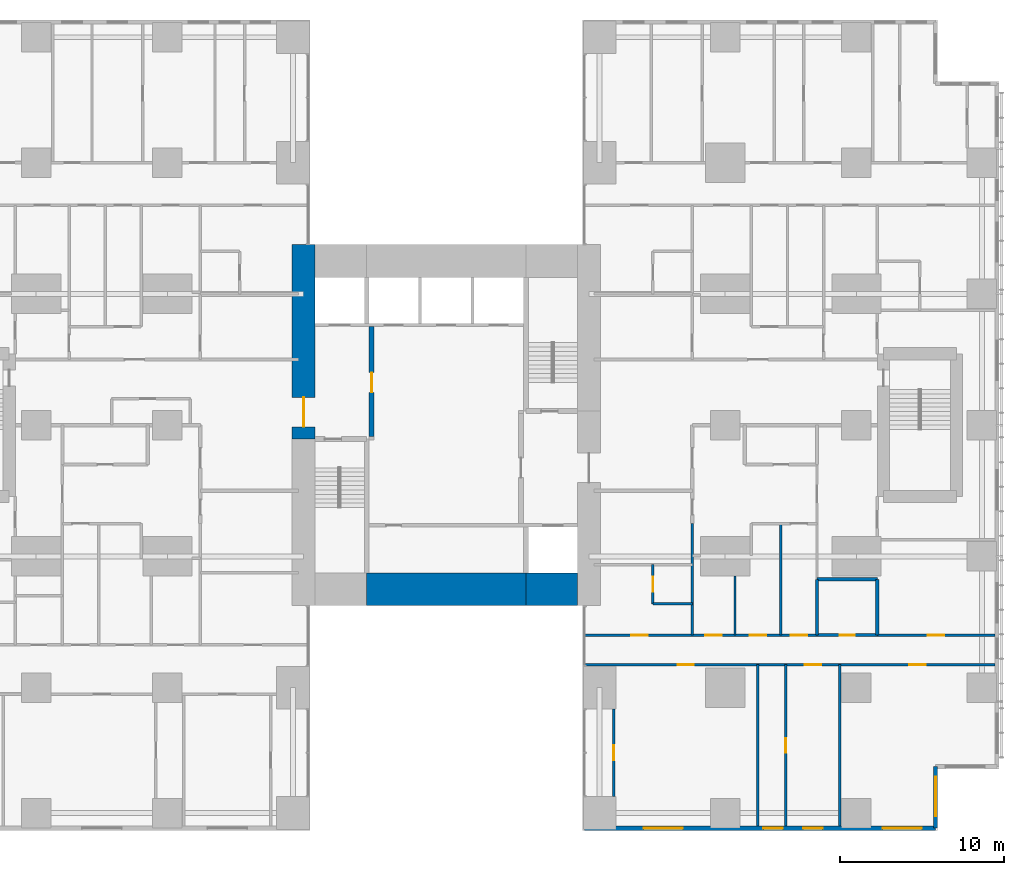
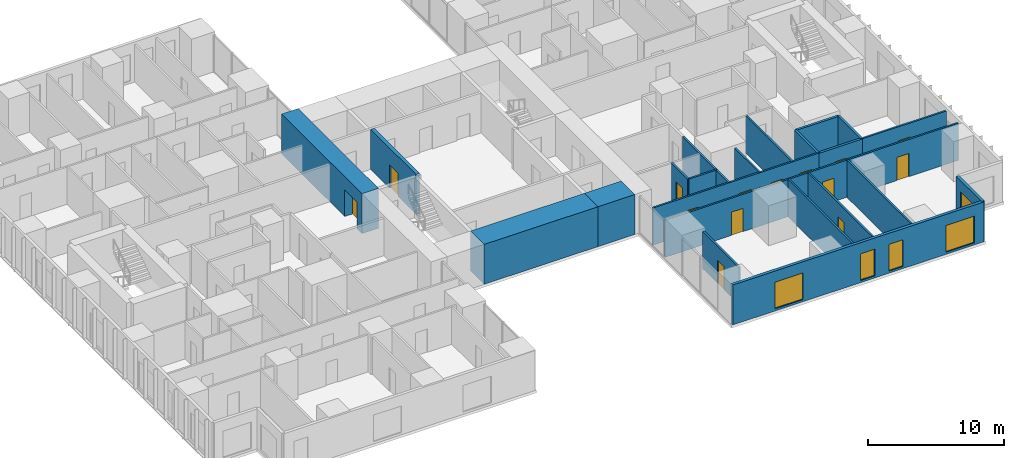
# One storey, part 14 of 20: 22 walls, 14 doors, 5 windows, 19 openings.
"""IFC4 building model written with IfcOpenShell, lengths in metres."""

from ifc_helpers import new_model, si_unit, direction, frame, frame_2d, origin, place, context, subcontext, project, spatial, rectangle, extrude, material, layer, layer_set, type_object, element, fill, save


model = new_model("IFC4")

# Units and contexts
model_context = context("Model", 3, precision=1e-05, world=origin(), true_north=direction((0.0, 1.0)))
body_context = subcontext(model_context, "Body", "Model", "MODEL_VIEW")
ifc_project = project(units=[si_unit("LENGTHUNIT", "METRE"), si_unit("AREAUNIT", "SQUARE_METRE"), si_unit("VOLUMEUNIT", "CUBIC_METRE"), si_unit("PLANEANGLEUNIT", "RADIAN"), si_unit("MASSUNIT", "GRAM", prefix="KILO")], contexts=[model_context])

# Site, building, storey
site_placement = place(None, origin())
site = spatial("IfcSite", under=ifc_project, at=site_placement, CompositionType="ELEMENT")
building_placement = place(site_placement, origin())
building = spatial("IfcBuilding", under=site, at=building_placement, Name="Cleftline Residences", CompositionType="ELEMENT")
storey_placement = place(building_placement, frame((0.0, 0.0, 189.39990234375)))
storey = spatial("IfcBuildingStorey", under=building, at=storey_placement, Name="L49", CompositionType="ELEMENT", Elevation=189.39990234375)

# Wall, opening, door
ifc_material_1 = material(Name="Concrete B70", Category="concrete")
ifc_layer_1 = layer(ifc_material_1, 1.39990234375)
ifc_layer_set_1 = layer_set([ifc_layer_1], Name="CORE WALL 1400")
wall_type_1 = type_object("IfcWallType", Name="CORE WALL 1400", PredefinedType="SHEAR", material=ifc_layer_set_1)
wall_1_placement = place(storey_placement, frame((24.300048828125, 23.14990234375, 0.0), z_axis=(0.0, 0.0, 1.0), x_axis=(0.0, 1.0, 0.0)))
wall_1 = element("IfcWall", 1, at=wall_1_placement, inside=storey, type_object=wall_type_1, Name="Core wall W", PredefinedType="SHEAR", context=body_context, shape_type="SweptSolid", body=[
    extrude(rectangle(XDim=11.85009765625, YDim=1.39990234375, at=frame_2d((5.925048828125, 0.0))), origin(), (0.0, 0.0, 1.0), 3.60009765625),
])
opening_1_placement = place(wall_1_placement, frame((0.75, 0.0, 0.0)))
opening_1 = element("IfcOpeningElement", 2, at=opening_1_placement, cuts=wall_1, Name="Opening D7", PredefinedType="OPENING", context=body_context, shape_type="SweptSolid", body=[
    extrude(rectangle(XDim=1.800048828125, YDim=2.39990234375, at=frame_2d((0.89990234375, 1.199951171875))), frame((0.0, 0.7099609375, 0.0), z_axis=(0.0, -1.0, 0.0), x_axis=(1.0, 0.0, 0.0)), (0.0, 0.0, 1.0), 1.419921875),
])
ifc_material_2 = material(Name="Steel", Category="steel")
door_type_1 = type_object("IfcDoorType", Name="WING DOOR 1800X2400", OperationType="DOUBLE_DOOR_DOUBLE_SWING", PredefinedType="DOOR", material=ifc_material_2)
door_1_placement = place(opening_1_placement, origin())
door_1 = element("IfcDoor", 3, at=door_1_placement, inside=storey, type_object=door_type_1, Name="West wing door", OperationType="DOUBLE_DOOR_DOUBLE_SWING", OverallHeight=2.39990234375, OverallWidth=1.800048828125, PredefinedType="DOOR", context=body_context, shape_type="SweptSolid", body=[
    extrude(rectangle(XDim=1.800048828125, YDim=2.39990234375, at=frame_2d((0.89990234375, 1.199951171875))), frame((0.0, 0.02490234375, 0.0), z_axis=(0.0, -1.0, 0.0), x_axis=(1.0, 0.0, 0.0)), (0.0, 0.0, 1.0), 0.050048828125),
])
fill(opening_1, door_1)

# Walls
ifc_material_3 = material(Name="Concrete B70", Category="concrete")
ifc_layer_2 = layer(ifc_material_3, 2.0)
ifc_layer_set_2 = layer_set([ifc_layer_2], Name="CORE WALL 2000")
wall_type_2 = type_object("IfcWallType", Name="CORE WALL 2000", PredefinedType="SHEAR", material=ifc_layer_set_2)
wall_2_placement = place(storey_placement, frame((28.14990234375, 14.0, 0.0), z_axis=(0.0, 0.0, 1.0), x_axis=(1.0, 0.0, 0.0)))
element("IfcWall", 4, at=wall_2_placement, inside=storey, type_object=wall_type_2, Name="Core wall S2", PredefinedType="SHEAR", context=body_context, shape_type="SweptSolid", body=[
    extrude(rectangle(XDim=9.7001953125, YDim=2.0, at=frame_2d((4.85009765625, 0.0))), origin(), (0.0, 0.0, 1.0), 3.60009765625),
])
wall_3_placement = place(storey_placement, frame((37.85009765625, 14.0, 0.0), z_axis=(0.0, 0.0, 1.0), x_axis=(1.0, 0.0, 0.0)))
element("IfcWall", 5, at=wall_3_placement, inside=storey, type_object=wall_type_2, Name="Core wall S3", PredefinedType="SHEAR", context=body_context, shape_type="SweptSolid", body=[
    extrude(rectangle(XDim=3.14990234375, YDim=2.0, at=frame_2d((1.574951171875, 0.0))), origin(), (0.0, 0.0, 1.0), 3.60009765625),
])

# Wall, openings, windows
ifc_material_4 = material(Name="Rendered reinforced concrete blockwork", Category="masonry")
ifc_layer_3 = layer(ifc_material_4, 0.25)
ifc_layer_set_3 = layer_set([ifc_layer_3], Name="EXTERNAL WALL 250")
wall_type_3 = type_object("IfcWallType", Name="EXTERNAL WALL 250", PredefinedType="SOLIDWALL", material=ifc_layer_set_3)
wall_4_placement = place(storey_placement, frame((41.425048828125, -0.574951171875, 0.0), z_axis=(0.0, 0.0, 1.0), x_axis=(1.0, 0.0, 0.0)))
wall_4 = element("IfcWall", 6, at=wall_4_placement, inside=storey, type_object=wall_type_3, Name="External wall", PredefinedType="SOLIDWALL", context=body_context, shape_type="SweptSolid", body=[
    extrude(rectangle(XDim=21.39990234375, YDim=0.25, at=frame_2d((10.699951171875, 0.0))), origin(), (0.0, 0.0, 1.0), 3.60009765625),
])
opening_2_placement = place(wall_4_placement, frame((3.60009765625, 0.0, 0.199951171875)))
opening_2 = element("IfcOpeningElement", 7, at=opening_2_placement, cuts=wall_4, Name="Opening W9", PredefinedType="OPENING", context=body_context, shape_type="SweptSolid", body=[
    extrude(rectangle(XDim=2.39990234375, YDim=2.39990234375, at=frame_2d((1.199951171875, 1.199951171875))), frame((0.0, 0.135009765625, 0.0), z_axis=(0.0, -1.0, 0.0), x_axis=(1.0, 0.0, 0.0)), (0.0, 0.0, 1.0), 0.27001953125),
])
opening_3_placement = place(wall_4_placement, frame((10.89990234375, 0.0, 0.199951171875)))
opening_3 = element("IfcOpeningElement", 8, at=opening_3_placement, cuts=wall_4, Name="Opening W13", PredefinedType="OPENING", context=body_context, shape_type="SweptSolid", body=[
    extrude(rectangle(XDim=1.199951171875, YDim=2.39990234375, at=frame_2d((0.60009765625, 1.199951171875))), frame((0.0, 0.135009765625, 0.0), z_axis=(0.0, -1.0, 0.0), x_axis=(1.0, 0.0, 0.0)), (0.0, 0.0, 1.0), 0.27001953125),
])
opening_4_placement = place(wall_4_placement, frame((13.324951171875, 0.0, 0.199951171875)))
opening_4 = element("IfcOpeningElement", 9, at=opening_4_placement, cuts=wall_4, Name="Opening W13", PredefinedType="OPENING", context=body_context, shape_type="SweptSolid", body=[
    extrude(rectangle(XDim=1.199951171875, YDim=2.39990234375, at=frame_2d((0.60009765625, 1.199951171875))), frame((0.0, 0.135009765625, 0.0), z_axis=(0.0, -1.0, 0.0), x_axis=(1.0, 0.0, 0.0)), (0.0, 0.0, 1.0), 0.27001953125),
])
opening_5_placement = place(wall_4_placement, frame((18.175048828125, 0.0, 0.199951171875)))
opening_5 = element("IfcOpeningElement", 10, at=opening_5_placement, cuts=wall_4, Name="Opening W9", PredefinedType="OPENING", context=body_context, shape_type="SweptSolid", body=[
    extrude(rectangle(XDim=2.39990234375, YDim=2.39990234375, at=frame_2d((1.199951171875, 1.199951171875))), frame((0.0, 0.135009765625, 0.0), z_axis=(0.0, -1.0, 0.0), x_axis=(1.0, 0.0, 0.0)), (0.0, 0.0, 1.0), 0.27001953125),
])
ifc_material_5 = material(Name="Aluminium frame, clear double glazing", Category="aluminium")
window_type_1 = type_object("IfcWindowType", Name="WINDOW 1200X2400", PartitioningType="DOUBLE_PANEL_VERTICAL", PredefinedType="WINDOW", material=ifc_material_5)
window_1_placement = place(opening_3_placement, origin())
window_1 = element("IfcWindow", 11, at=window_1_placement, inside=storey, type_object=window_type_1, Name="Window", OverallHeight=2.39990234375, OverallWidth=1.199951171875, PartitioningType="SINGLE_PANEL", PredefinedType="WINDOW", context=body_context, shape_type="SweptSolid", body=[
    extrude(rectangle(XDim=1.199951171875, YDim=2.39990234375, at=frame_2d((0.60009765625, 1.199951171875))), frame((0.0, 0.030029296875, 0.0), z_axis=(0.0, -1.0, 0.0), x_axis=(1.0, 0.0, 0.0)), (0.0, 0.0, 1.0), 0.06005859375),
])
fill(opening_3, window_1)
window_2_placement = place(opening_4_placement, origin())
window_2 = element("IfcWindow", 12, at=window_2_placement, inside=storey, type_object=window_type_1, Name="Window", OverallHeight=2.39990234375, OverallWidth=1.199951171875, PartitioningType="SINGLE_PANEL", PredefinedType="WINDOW", context=body_context, shape_type="SweptSolid", body=[
    extrude(rectangle(XDim=1.199951171875, YDim=2.39990234375, at=frame_2d((0.60009765625, 1.199951171875))), frame((0.0, 0.030029296875, 0.0), z_axis=(0.0, -1.0, 0.0), x_axis=(1.0, 0.0, 0.0)), (0.0, 0.0, 1.0), 0.06005859375),
])
fill(opening_4, window_2)
ifc_material_6 = material(Name="Aluminium frame, clear double glazing", Category="aluminium")
window_type_2 = type_object("IfcWindowType", Name="WINDOW 2400X2400", PartitioningType="DOUBLE_PANEL_VERTICAL", PredefinedType="WINDOW", material=ifc_material_6)
window_3_placement = place(opening_2_placement, origin())
window_3 = element("IfcWindow", 13, at=window_3_placement, inside=storey, type_object=window_type_2, Name="Window", OverallHeight=2.39990234375, OverallWidth=2.39990234375, PartitioningType="SINGLE_PANEL", PredefinedType="WINDOW", context=body_context, shape_type="SweptSolid", body=[
    extrude(rectangle(XDim=2.39990234375, YDim=2.39990234375, at=frame_2d((1.199951171875, 1.199951171875))), frame((0.0, 0.030029296875, 0.0), z_axis=(0.0, -1.0, 0.0), x_axis=(1.0, 0.0, 0.0)), (0.0, 0.0, 1.0), 0.06005859375),
])
fill(opening_2, window_3)
window_4_placement = place(opening_5_placement, origin())
window_4 = element("IfcWindow", 14, at=window_4_placement, inside=storey, type_object=window_type_2, Name="Window", OverallHeight=2.39990234375, OverallWidth=2.39990234375, PartitioningType="SINGLE_PANEL", PredefinedType="WINDOW", context=body_context, shape_type="SweptSolid", body=[
    extrude(rectangle(XDim=2.39990234375, YDim=2.39990234375, at=frame_2d((1.199951171875, 1.199951171875))), frame((0.0, 0.030029296875, 0.0), z_axis=(0.0, -1.0, 0.0), x_axis=(1.0, 0.0, 0.0)), (0.0, 0.0, 1.0), 0.06005859375),
])
fill(opening_5, window_4)

# Wall, opening, window
wall_5_placement = place(storey_placement, frame((62.824951171875, -0.574951171875, 0.0), z_axis=(0.0, 0.0, 1.0), x_axis=(0.0, 1.0, 0.0)))
wall_5 = element("IfcWall", 15, at=wall_5_placement, inside=storey, type_object=wall_type_3, Name="External wall", PredefinedType="SOLIDWALL", context=body_context, shape_type="SweptSolid", body=[
    extrude(rectangle(XDim=3.75, YDim=0.25, at=frame_2d((1.875, 0.0))), origin(), (0.0, 0.0, 1.0), 3.60009765625),
])
opening_6_placement = place(wall_5_placement, frame((0.737548828125, 0.0, 0.199951171875)))
opening_6 = element("IfcOpeningElement", 16, at=opening_6_placement, cuts=wall_5, Name="Opening W9", PredefinedType="OPENING", context=body_context, shape_type="SweptSolid", body=[
    extrude(rectangle(XDim=2.39990234375, YDim=2.39990234375, at=frame_2d((1.199951171875, 1.199951171875))), frame((0.0, 0.135009765625, 0.0), z_axis=(0.0, -1.0, 0.0), x_axis=(1.0, 0.0, 0.0)), (0.0, 0.0, 1.0), 0.27001953125),
])
window_5_placement = place(opening_6_placement, origin())
window_5 = element("IfcWindow", 17, at=window_5_placement, inside=storey, type_object=window_type_2, Name="Window", OverallHeight=2.39990234375, OverallWidth=2.39990234375, PartitioningType="SINGLE_PANEL", PredefinedType="WINDOW", context=body_context, shape_type="SweptSolid", body=[
    extrude(rectangle(XDim=2.39990234375, YDim=2.39990234375, at=frame_2d((1.199951171875, 1.199951171875))), frame((0.0, 0.030029296875, 0.0), z_axis=(0.0, -1.0, 0.0), x_axis=(1.0, 0.0, 0.0)), (0.0, 0.0, 1.0), 0.06005859375),
])
fill(opening_6, window_5)

# Wall, opening, door
ifc_material_7 = material(Name="Concrete blockwork, fire rated", Category="masonry")
ifc_layer_4 = layer(ifc_material_7, 0.199951171875)
ifc_layer_set_4 = layer_set([ifc_layer_4], Name="FIRE WALL 200")
wall_type_4 = type_object("IfcWallType", Name="FIRE WALL 200", PredefinedType="PARTITIONING", material=ifc_layer_set_4)
wall_6_placement = place(storey_placement, frame((55.60009765625, 11.199951171875, 0.0), z_axis=(0.0, 0.0, 1.0), x_axis=(1.0, 0.0, 0.0)))
wall_6 = element("IfcWall", 18, at=wall_6_placement, inside=storey, type_object=wall_type_4, Name="Fire separating wall", PredefinedType="PARTITIONING", context=body_context, shape_type="SweptSolid", body=[
    extrude(rectangle(XDim=3.6748046875, YDim=0.199951171875, at=frame_2d((1.83740234375, 0.0))), origin(), (0.0, 0.0, 1.0), 3.35009765625),
])
opening_7_placement = place(wall_6_placement, frame((1.387451171875, 0.0, 0.0)))
opening_7 = element("IfcOpeningElement", 19, at=opening_7_placement, cuts=wall_6, Name="Opening D1F30", PredefinedType="OPENING", context=body_context, shape_type="SweptSolid", body=[
    extrude(rectangle(XDim=0.89990234375, YDim=2.10009765625, at=frame_2d((0.449951171875, 1.050048828125))), frame((0.0, 0.10986328125, 0.0), z_axis=(0.0, -1.0, 0.0), x_axis=(1.0, 0.0, 0.0)), (0.0, 0.0, 1.0), 0.219970703125),
])
ifc_material_8 = material(Name="Timber veneer on solid core", Category="wood")
door_type_2 = type_object("IfcDoorType", Name="DOOR 900X2100 EI 30", OperationType="SINGLE_SWING_LEFT", PredefinedType="DOOR", material=ifc_material_8)
door_2_placement = place(opening_7_placement, origin())
door_2 = element("IfcDoor", 20, at=door_2_placement, inside=storey, type_object=door_type_2, Name="Door to guest wc", OperationType="SINGLE_SWING_LEFT", OverallHeight=2.10009765625, OverallWidth=0.89990234375, PredefinedType="DOOR", context=body_context, shape_type="SweptSolid", body=[
    extrude(rectangle(XDim=0.89990234375, YDim=2.10009765625, at=frame_2d((0.449951171875, 1.050048828125))), frame((0.0, 0.02490234375, 0.0), z_axis=(0.0, -1.0, 0.0), x_axis=(1.0, 0.0, 0.0)), (0.0, 0.0, 1.0), 0.050048828125),
])
fill(opening_7, door_2)

# Walls
wall_7_placement = place(storey_placement, frame((55.60009765625, 14.60009765625, 0.0), z_axis=(0.0, 0.0, 1.0), x_axis=(1.0, 0.0, 0.0)))
element("IfcWall", 21, at=wall_7_placement, inside=storey, type_object=wall_type_4, Name="Fire separating wall", PredefinedType="PARTITIONING", context=body_context, shape_type="SweptSolid", body=[
    extrude(rectangle(XDim=3.6748046875, YDim=0.199951171875, at=frame_2d((1.83740234375, 0.0))), origin(), (0.0, 0.0, 1.0), 3.35009765625),
])
for number, where, z_axis, x_axis, name in (
    (22, (55.60009765625, 11.199951171875, 0.0), (0.0, 0.0, 1.0), (0.0, 1.0, 0.0), "Fire separating wall"),
    (23, (59.27490234375, 11.199951171875, 0.0), (0.0, 0.0, 1.0), (0.0, 1.0, 0.0), "Fire separating wall"),
):
    element("IfcWall", number, at=place(storey_placement, frame(where, z_axis=z_axis, x_axis=x_axis)), inside=storey, type_object=wall_type_4, Name=name, PredefinedType="PARTITIONING", context=body_context, shape_type="SweptSolid", body=[
        extrude(rectangle(XDim=3.400146484375, YDim=0.199951171875, at=frame_2d((1.7001953125, 0.0))), origin(), (0.0, 0.0, 1.0), 3.35009765625),
    ])

# Wall, openings, doors
ifc_material_9 = material(Name="Gypsum board on steel studs", Category="steel")
ifc_layer_5 = layer(ifc_material_9, 0.14990234375)
ifc_layer_set_5 = layer_set([ifc_layer_5], Name="PARTITION 150")
wall_type_5 = type_object("IfcWallType", Name="PARTITION 150", PredefinedType="PARTITIONING", material=ifc_layer_set_5)
wall_8_placement = place(storey_placement, frame((41.43896484375, 9.39990234375, 0.0), z_axis=(0.0, 0.0, 1.0), x_axis=(1.0, 0.0, 0.0)))
wall_8 = element("IfcWall", 24, at=wall_8_placement, inside=storey, type_object=wall_type_5, Name="Partition", PredefinedType="PARTITIONING", context=body_context, shape_type="SweptSolid", body=[
    extrude(rectangle(XDim=25.010986328125, YDim=0.14990234375, at=frame_2d((12.50537109375, 0.0))), origin(), (0.0, 0.0, 1.0), 3.35009765625),
])
opening_8_placement = place(wall_8_placement, frame((19.785888671875, 0.0, 0.0)))
opening_8 = element("IfcOpeningElement", 25, at=opening_8_placement, cuts=wall_8, Name="Opening D2", PredefinedType="OPENING", context=body_context, shape_type="SweptSolid", body=[
    extrude(rectangle(XDim=1.0, YDim=2.10009765625, at=frame_2d((0.5, 1.050048828125))), frame((0.0, 0.0849609375, 0.0), z_axis=(0.0, -1.0, 0.0), x_axis=(1.0, 0.0, 0.0)), (0.0, 0.0, 1.0), 0.169921875),
])
opening_9_placement = place(wall_8_placement, frame((13.410888671875, 0.0, 0.0)))
opening_9 = element("IfcOpeningElement", 26, at=opening_9_placement, cuts=wall_8, Name="Opening D2", PredefinedType="OPENING", context=body_context, shape_type="SweptSolid", body=[
    extrude(rectangle(XDim=1.0, YDim=2.10009765625, at=frame_2d((0.5, 1.050048828125))), frame((0.0, 0.0849609375, 0.0), z_axis=(0.0, -1.0, 0.0), x_axis=(1.0, 0.0, 0.0)), (0.0, 0.0, 1.0), 0.169921875),
])
opening_10_placement = place(wall_8_placement, frame((5.660888671875, 0.0, 0.0)))
opening_10 = element("IfcOpeningElement", 27, at=opening_10_placement, cuts=wall_8, Name="Opening D2", PredefinedType="OPENING", context=body_context, shape_type="SweptSolid", body=[
    extrude(rectangle(XDim=1.0, YDim=2.10009765625, at=frame_2d((0.5, 1.050048828125))), frame((0.0, 0.0849609375, 0.0), z_axis=(0.0, -1.0, 0.0), x_axis=(1.0, 0.0, 0.0)), (0.0, 0.0, 1.0), 0.169921875),
])
ifc_material_10 = material(Name="Timber veneer on solid core", Category="wood")
door_type_3 = type_object("IfcDoorType", Name="DOOR 1000X2100", OperationType="SINGLE_SWING_LEFT", PredefinedType="DOOR", material=ifc_material_10)
door_3_placement = place(opening_8_placement, origin())
door_3 = element("IfcDoor", 28, at=door_3_placement, inside=storey, type_object=door_type_3, Name="Door to sea-view dining room", OperationType="SINGLE_SWING_LEFT", OverallHeight=2.10009765625, OverallWidth=1.0, PredefinedType="DOOR", context=body_context, shape_type="SweptSolid", body=[
    extrude(rectangle(XDim=1.0, YDim=2.10009765625, at=frame_2d((0.5, 1.050048828125))), frame((0.0, 0.02490234375, 0.0), z_axis=(0.0, -1.0, 0.0), x_axis=(1.0, 0.0, 0.0)), (0.0, 0.0, 1.0), 0.050048828125),
])
fill(opening_8, door_3)
door_4_placement = place(opening_9_placement, origin())
door_4 = element("IfcDoor", 29, at=door_4_placement, inside=storey, type_object=door_type_3, Name="Door to show kitchen", OperationType="SINGLE_SWING_LEFT", OverallHeight=2.10009765625, OverallWidth=1.0, PredefinedType="DOOR", context=body_context, shape_type="SweptSolid", body=[
    extrude(rectangle(XDim=1.0, YDim=2.10009765625, at=frame_2d((0.5, 1.050048828125))), frame((0.0, 0.02490234375, 0.0), z_axis=(0.0, -1.0, 0.0), x_axis=(1.0, 0.0, 0.0)), (0.0, 0.0, 1.0), 0.050048828125),
])
fill(opening_9, door_4)
door_5_placement = place(opening_10_placement, origin())
door_5 = element("IfcDoor", 30, at=door_5_placement, inside=storey, type_object=door_type_3, Name="Door to family room", OperationType="SINGLE_SWING_RIGHT", OverallHeight=2.10009765625, OverallWidth=1.0, PredefinedType="DOOR", context=body_context, shape_type="SweptSolid", body=[
    extrude(rectangle(XDim=1.0, YDim=2.10009765625, at=frame_2d((0.5, 1.050048828125))), frame((0.0, 0.02490234375, 0.0), z_axis=(0.0, -1.0, 0.0), x_axis=(1.0, 0.0, 0.0)), (0.0, 0.0, 1.0), 0.050048828125),
])
fill(opening_10, door_5)

wall_9_placement = place(storey_placement, frame((41.43896484375, 11.199951171875, 0.0), z_axis=(0.0, 0.0, 1.0), x_axis=(1.0, 0.0, 0.0)))
wall_9 = element("IfcWall", 31, at=wall_9_placement, inside=storey, type_object=wall_type_5, Name="Partition", PredefinedType="PARTITIONING", context=body_context, shape_type="SweptSolid", body=[
    extrude(rectangle(XDim=14.1611328125, YDim=0.14990234375, at=frame_2d((7.08056640625, 0.0))), origin(), (0.0, 0.0, 1.0), 3.35009765625),
])
opening_11_placement = place(wall_9_placement, frame((12.56103515625, 0.0, 0.0)))
opening_11 = element("IfcOpeningElement", 32, at=opening_11_placement, cuts=wall_9, Name="Opening D2F30", PredefinedType="OPENING", context=body_context, shape_type="SweptSolid", body=[
    extrude(rectangle(XDim=1.0, YDim=2.10009765625, at=frame_2d((0.5, 1.050048828125))), frame((0.0, 0.0849609375, 0.0), z_axis=(0.0, -1.0, 0.0), x_axis=(1.0, 0.0, 0.0)), (0.0, 0.0, 1.0), 0.169921875),
])
opening_12_placement = place(wall_9_placement, frame((10.06103515625, 0.0, 0.0)))
opening_12 = element("IfcOpeningElement", 33, at=opening_12_placement, cuts=wall_9, Name="Opening D2F30", PredefinedType="OPENING", context=body_context, shape_type="SweptSolid", body=[
    extrude(rectangle(XDim=1.0, YDim=2.10009765625, at=frame_2d((0.5, 1.050048828125))), frame((0.0, 0.0849609375, 0.0), z_axis=(0.0, -1.0, 0.0), x_axis=(1.0, 0.0, 0.0)), (0.0, 0.0, 1.0), 0.169921875),
])
opening_13_placement = place(wall_9_placement, frame((7.361083984375, 0.0, 0.0)))
opening_13 = element("IfcOpeningElement", 34, at=opening_13_placement, cuts=wall_9, Name="Opening D2F30", PredefinedType="OPENING", context=body_context, shape_type="SweptSolid", body=[
    extrude(rectangle(XDim=1.0, YDim=2.10009765625, at=frame_2d((0.5, 1.050048828125))), frame((0.0, 0.0849609375, 0.0), z_axis=(0.0, -1.0, 0.0), x_axis=(1.0, 0.0, 0.0)), (0.0, 0.0, 1.0), 0.169921875),
])
opening_14_placement = place(wall_9_placement, frame((2.8359375, 0.0, 0.0)))
opening_14 = element("IfcOpeningElement", 35, at=opening_14_placement, cuts=wall_9, Name="Opening D2F30", PredefinedType="OPENING", context=body_context, shape_type="SweptSolid", body=[
    extrude(rectangle(XDim=1.0, YDim=2.10009765625, at=frame_2d((0.5, 1.050048828125))), frame((0.0, 0.0849609375, 0.0), z_axis=(0.0, -1.0, 0.0), x_axis=(1.0, 0.0, 0.0)), (0.0, 0.0, 1.0), 0.169921875),
])
ifc_material_11 = material(Name="Timber veneer on solid core", Category="wood")
door_type_4 = type_object("IfcDoorType", Name="DOOR 1000X2100 EI 30", OperationType="SINGLE_SWING_LEFT", PredefinedType="DOOR", material=ifc_material_11)
door_6_placement = place(opening_11_placement, origin())
door_6 = element("IfcDoor", 36, at=door_6_placement, inside=storey, type_object=door_type_4, Name="Door to residence hall (gallery)", OperationType="SINGLE_SWING_LEFT", OverallHeight=2.10009765625, OverallWidth=1.0, PredefinedType="DOOR", context=body_context, shape_type="SweptSolid", body=[
    extrude(rectangle(XDim=1.0, YDim=2.10009765625, at=frame_2d((0.5, 1.050048828125))), frame((0.0, 0.02490234375, 0.0), z_axis=(0.0, -1.0, 0.0), x_axis=(1.0, 0.0, 0.0)), (0.0, 0.0, 1.0), 0.050048828125),
])
fill(opening_11, door_6)
door_7_placement = place(opening_12_placement, origin())
door_7 = element("IfcDoor", 37, at=door_7_placement, inside=storey, type_object=door_type_4, Name="Door to wet kitchen", OperationType="SINGLE_SWING_LEFT", OverallHeight=2.10009765625, OverallWidth=1.0, PredefinedType="DOOR", context=body_context, shape_type="SweptSolid", body=[
    extrude(rectangle(XDim=1.0, YDim=2.10009765625, at=frame_2d((0.5, 1.050048828125))), frame((0.0, 0.02490234375, 0.0), z_axis=(0.0, -1.0, 0.0), x_axis=(1.0, 0.0, 0.0)), (0.0, 0.0, 1.0), 0.050048828125),
])
fill(opening_12, door_7)
door_8_placement = place(opening_13_placement, origin())
door_8 = element("IfcDoor", 38, at=door_8_placement, inside=storey, type_object=door_type_4, Name="Door to library", OperationType="SINGLE_SWING_LEFT", OverallHeight=2.10009765625, OverallWidth=1.0, PredefinedType="DOOR", context=body_context, shape_type="SweptSolid", body=[
    extrude(rectangle(XDim=1.0, YDim=2.10009765625, at=frame_2d((0.5, 1.050048828125))), frame((0.0, 0.02490234375, 0.0), z_axis=(0.0, -1.0, 0.0), x_axis=(1.0, 0.0, 0.0)), (0.0, 0.0, 1.0), 0.050048828125),
])
fill(opening_13, door_8)
door_9_placement = place(opening_14_placement, origin())
door_9 = element("IfcDoor", 39, at=door_9_placement, inside=storey, type_object=door_type_4, Name="Door to staff bedroom", OperationType="SINGLE_SWING_RIGHT", OverallHeight=2.10009765625, OverallWidth=1.0, PredefinedType="DOOR", context=body_context, shape_type="SweptSolid", body=[
    extrude(rectangle(XDim=1.0, YDim=2.10009765625, at=frame_2d((0.5, 1.050048828125))), frame((0.0, 0.02490234375, 0.0), z_axis=(0.0, -1.0, 0.0), x_axis=(1.0, 0.0, 0.0)), (0.0, 0.0, 1.0), 0.050048828125),
])
fill(opening_14, door_9)

# Wall, opening, door
wall_10_placement = place(storey_placement, frame((59.27490234375, 11.199951171875, 0.0), z_axis=(0.0, 0.0, 1.0), x_axis=(1.0, 0.0, 0.0)))
wall_10 = element("IfcWall", 40, at=wall_10_placement, inside=storey, type_object=wall_type_5, Name="Partition", PredefinedType="PARTITIONING", context=body_context, shape_type="SweptSolid", body=[
    extrude(rectangle(XDim=7.175048828125, YDim=0.14990234375, at=frame_2d((3.58740234375, 0.0))), origin(), (0.0, 0.0, 1.0), 3.35009765625),
])
opening_15_placement = place(wall_10_placement, frame((3.08740234375, 0.0, 0.0)))
opening_15 = element("IfcOpeningElement", 41, at=opening_15_placement, cuts=wall_10, Name="Opening D2", PredefinedType="OPENING", context=body_context, shape_type="SweptSolid", body=[
    extrude(rectangle(XDim=1.0, YDim=2.10009765625, at=frame_2d((0.5, 1.050048828125))), frame((0.0, 0.0849609375, 0.0), z_axis=(0.0, -1.0, 0.0), x_axis=(1.0, 0.0, 0.0)), (0.0, 0.0, 1.0), 0.169921875),
])
door_10_placement = place(opening_15_placement, origin())
door_10 = element("IfcDoor", 42, at=door_10_placement, inside=storey, type_object=door_type_3, Name="Door to sea-view living room", OperationType="SINGLE_SWING_LEFT", OverallHeight=2.10009765625, OverallWidth=1.0, PredefinedType="DOOR", context=body_context, shape_type="SweptSolid", body=[
    extrude(rectangle(XDim=1.0, YDim=2.10009765625, at=frame_2d((0.5, 1.050048828125))), frame((0.0, 0.02490234375, 0.0), z_axis=(0.0, -1.0, 0.0), x_axis=(1.0, 0.0, 0.0)), (0.0, 0.0, 1.0), 0.050048828125),
])
fill(opening_15, door_10)

# Wall
wall_11_placement = place(storey_placement, frame((45.60009765625, 13.10009765625, 0.0), z_axis=(0.0, 0.0, 1.0), x_axis=(1.0, 0.0, 0.0)))
element("IfcWall", 43, at=wall_11_placement, inside=storey, type_object=wall_type_5, Name="Partition", PredefinedType="PARTITIONING", context=body_context, shape_type="SweptSolid", body=[
    extrude(rectangle(XDim=2.39990234375, YDim=0.14990234375, at=frame_2d((1.199951171875, 0.0))), origin(), (0.0, 0.0, 1.0), 3.35009765625),
])

# Wall, opening, door
wall_12_placement = place(storey_placement, frame((43.199951171875, 1.35009765625, 0.0), z_axis=(0.0, 0.0, 1.0), x_axis=(0.0, 1.0, 0.0)))
wall_12 = element("IfcWall", 44, at=wall_12_placement, inside=storey, type_object=wall_type_5, Name="Partition", PredefinedType="PARTITIONING", context=body_context, shape_type="SweptSolid", body=[
    extrude(rectangle(XDim=5.349853515625, YDim=0.14990234375, at=frame_2d((2.6748046875, 0.0))), origin(), (0.0, 0.0, 1.0), 3.35009765625),
])
opening_16_placement = place(wall_12_placement, frame((2.22509765625, 0.0, 0.0)))
opening_16 = element("IfcOpeningElement", 45, at=opening_16_placement, cuts=wall_12, Name="Opening D1", PredefinedType="OPENING", context=body_context, shape_type="SweptSolid", body=[
    extrude(rectangle(XDim=0.89990234375, YDim=2.10009765625, at=frame_2d((0.449951171875, 1.050048828125))), frame((0.0, 0.0849609375, 0.0), z_axis=(0.0, -1.0, 0.0), x_axis=(1.0, 0.0, 0.0)), (0.0, 0.0, 1.0), 0.169921875),
])
ifc_material_12 = material(Name="Timber veneer on solid core", Category="wood")
door_type_5 = type_object("IfcDoorType", Name="DOOR 900X2100", OperationType="SINGLE_SWING_LEFT", PredefinedType="DOOR", material=ifc_material_12)
door_11_placement = place(opening_16_placement, origin())
door_11 = element("IfcDoor", 46, at=door_11_placement, inside=storey, type_object=door_type_5, Name="Door to library", OperationType="SINGLE_SWING_LEFT", OverallHeight=2.10009765625, OverallWidth=0.89990234375, PredefinedType="DOOR", context=body_context, shape_type="SweptSolid", body=[
    extrude(rectangle(XDim=0.89990234375, YDim=2.10009765625, at=frame_2d((0.449951171875, 1.050048828125))), frame((0.0, 0.02490234375, 0.0), z_axis=(0.0, -1.0, 0.0), x_axis=(1.0, 0.0, 0.0)), (0.0, 0.0, 1.0), 0.050048828125),
])
fill(opening_16, door_11)

wall_13_placement = place(storey_placement, frame((45.60009765625, 13.10009765625, 0.0), z_axis=(0.0, 0.0, 1.0), x_axis=(0.0, 1.0, 0.0)))
wall_13 = element("IfcWall", 47, at=wall_13_placement, inside=storey, type_object=wall_type_5, Name="Partition", PredefinedType="PARTITIONING", context=body_context, shape_type="SweptSolid", body=[
    extrude(rectangle(XDim=2.39990234375, YDim=0.14990234375, at=frame_2d((1.199951171875, 0.0))), origin(), (0.0, 0.0, 1.0), 3.35009765625),
])
opening_17_placement = place(wall_13_placement, frame((0.75, 0.0, 0.0)))
opening_17 = element("IfcOpeningElement", 48, at=opening_17_placement, cuts=wall_13, Name="Opening D1", PredefinedType="OPENING", context=body_context, shape_type="SweptSolid", body=[
    extrude(rectangle(XDim=0.89990234375, YDim=2.10009765625, at=frame_2d((0.449951171875, 1.050048828125))), frame((0.0, 0.0849609375, 0.0), z_axis=(0.0, -1.0, 0.0), x_axis=(1.0, 0.0, 0.0)), (0.0, 0.0, 1.0), 0.169921875),
])
door_12_placement = place(opening_17_placement, origin())
door_12 = element("IfcDoor", 49, at=door_12_placement, inside=storey, type_object=door_type_5, Name="Door to staff shower room", OperationType="SINGLE_SWING_LEFT", OverallHeight=2.10009765625, OverallWidth=0.89990234375, PredefinedType="DOOR", context=body_context, shape_type="SweptSolid", body=[
    extrude(rectangle(XDim=0.89990234375, YDim=2.10009765625, at=frame_2d((0.449951171875, 1.050048828125))), frame((0.0, 0.02490234375, 0.0), z_axis=(0.0, -1.0, 0.0), x_axis=(1.0, 0.0, 0.0)), (0.0, 0.0, 1.0), 0.050048828125),
])
fill(opening_17, door_12)

# Walls
wall_14_placement = place(storey_placement, frame((48.0, 11.199951171875, 0.0), z_axis=(0.0, 0.0, 1.0), x_axis=(0.0, 1.0, 0.0)))
element("IfcWall", 50, at=wall_14_placement, inside=storey, type_object=wall_type_5, Name="Partition", PredefinedType="PARTITIONING", context=body_context, shape_type="SweptSolid", body=[
    extrude(rectangle(XDim=6.800048828125, YDim=0.14990234375, at=frame_2d((3.39990234375, 0.0))), origin(), (0.0, 0.0, 1.0), 3.35009765625),
])
wall_15_placement = place(storey_placement, frame((50.60009765625, 11.199951171875, 0.0), z_axis=(0.0, 0.0, 1.0), x_axis=(0.0, 1.0, 0.0)))
element("IfcWall", 51, at=wall_15_placement, inside=storey, type_object=wall_type_5, Name="Partition", PredefinedType="PARTITIONING", context=body_context, shape_type="SweptSolid", body=[
    extrude(rectangle(XDim=3.60009765625, YDim=0.14990234375, at=frame_2d((1.800048828125, 0.0))), origin(), (0.0, 0.0, 1.0), 3.35009765625),
])
wall_16_placement = place(storey_placement, frame((52.0, -0.449951171875, 0.0), z_axis=(0.0, 0.0, 1.0), x_axis=(0.0, 1.0, 0.0)))
element("IfcWall", 52, at=wall_16_placement, inside=storey, type_object=wall_type_5, Name="Partition", PredefinedType="PARTITIONING", context=body_context, shape_type="SweptSolid", body=[
    extrude(rectangle(XDim=9.849853515625, YDim=0.14990234375, at=frame_2d((4.9248046875, 0.0))), origin(), (0.0, 0.0, 1.0), 3.35009765625),
])
wall_17_placement = place(storey_placement, frame((53.39990234375, 11.199951171875, 0.0), z_axis=(0.0, 0.0, 1.0), x_axis=(0.0, 1.0, 0.0)))
element("IfcWall", 53, at=wall_17_placement, inside=storey, type_object=wall_type_5, Name="Partition", PredefinedType="PARTITIONING", context=body_context, shape_type="SweptSolid", body=[
    extrude(rectangle(XDim=6.800048828125, YDim=0.14990234375, at=frame_2d((3.39990234375, 0.0))), origin(), (0.0, 0.0, 1.0), 3.35009765625),
])

# Wall, opening, door
wall_18_placement = place(storey_placement, frame((53.699951171875, -0.449951171875, 0.0), z_axis=(0.0, 0.0, 1.0), x_axis=(0.0, 1.0, 0.0)))
wall_18 = element("IfcWall", 54, at=wall_18_placement, inside=storey, type_object=wall_type_5, Name="Partition", PredefinedType="PARTITIONING", context=body_context, shape_type="SweptSolid", body=[
    extrude(rectangle(XDim=9.849853515625, YDim=0.14990234375, at=frame_2d((4.9248046875, 0.0))), origin(), (0.0, 0.0, 1.0), 3.35009765625),
])
opening_18_placement = place(wall_18_placement, frame((4.47509765625, 0.0, 0.0)))
opening_18 = element("IfcOpeningElement", 55, at=opening_18_placement, cuts=wall_18, Name="Opening D1", PredefinedType="OPENING", context=body_context, shape_type="SweptSolid", body=[
    extrude(rectangle(XDim=0.89990234375, YDim=2.10009765625, at=frame_2d((0.449951171875, 1.050048828125))), frame((0.0, 0.0849609375, 0.0), z_axis=(0.0, -1.0, 0.0), x_axis=(1.0, 0.0, 0.0)), (0.0, 0.0, 1.0), 0.169921875),
])
door_13_placement = place(opening_18_placement, origin())
door_13 = element("IfcDoor", 56, at=door_13_placement, inside=storey, type_object=door_type_5, Name="Door to larder", OperationType="SINGLE_SWING_LEFT", OverallHeight=2.10009765625, OverallWidth=0.89990234375, PredefinedType="DOOR", context=body_context, shape_type="SweptSolid", body=[
    extrude(rectangle(XDim=0.89990234375, YDim=2.10009765625, at=frame_2d((0.449951171875, 1.050048828125))), frame((0.0, 0.02490234375, 0.0), z_axis=(0.0, -1.0, 0.0), x_axis=(1.0, 0.0, 0.0)), (0.0, 0.0, 1.0), 0.050048828125),
])
fill(opening_18, door_13)

# Wall
wall_19_placement = place(storey_placement, frame((57.0, -0.449951171875, 0.0), z_axis=(0.0, 0.0, 1.0), x_axis=(0.0, 1.0, 0.0)))
element("IfcWall", 57, at=wall_19_placement, inside=storey, type_object=wall_type_5, Name="Partition", PredefinedType="PARTITIONING", context=body_context, shape_type="SweptSolid", body=[
    extrude(rectangle(XDim=9.849853515625, YDim=0.14990234375, at=frame_2d((4.9248046875, 0.0))), origin(), (0.0, 0.0, 1.0), 3.35009765625),
])

# Wall, opening, door
ifc_material_13 = material(Name="Concrete blockwork, fire rated", Category="masonry")
ifc_layer_6 = layer(ifc_material_13, 0.300048828125)
ifc_layer_set_6 = layer_set([ifc_layer_6], Name="STAIR LOBBY WALL 300")
wall_type_6 = type_object("IfcWallType", Name="STAIR LOBBY WALL 300", PredefinedType="PARTITIONING", material=ifc_layer_set_6)
wall_20_placement = place(storey_placement, frame((28.449951171875, 23.300048828125, 0.0), z_axis=(0.0, 0.0, 1.0), x_axis=(0.0, 1.0, 0.0)))
wall_20 = element("IfcWall", 58, at=wall_20_placement, inside=storey, type_object=wall_type_6, Name="Stair and lobby wall FA-E", PredefinedType="PARTITIONING", context=body_context, shape_type="SweptSolid", body=[
    extrude(rectangle(XDim=6.699951171875, YDim=0.300048828125, at=frame_2d((3.35009765625, 0.0))), origin(), (0.0, 0.0, 1.0), 3.60009765625),
])
opening_19_placement = place(wall_20_placement, frame((2.699951171875, 0.0, 0.0)))
opening_19 = element("IfcOpeningElement", 59, at=opening_19_placement, cuts=wall_20, Name="Opening D6", PredefinedType="OPENING", context=body_context, shape_type="SweptSolid", body=[
    extrude(rectangle(XDim=1.199951171875, YDim=2.10009765625, at=frame_2d((0.60009765625, 1.050048828125))), frame((0.0, 0.159912109375, 0.0), z_axis=(0.0, -1.0, 0.0), x_axis=(1.0, 0.0, 0.0)), (0.0, 0.0, 1.0), 0.320068359375),
])
ifc_material_14 = material(Name="Steel", Category="steel")
door_type_6 = type_object("IfcDoorType", Name="LOBBY DOOR 1200X2100", OperationType="SINGLE_SWING_RIGHT", PredefinedType="DOOR", material=ifc_material_14)
door_14_placement = place(opening_19_placement, origin())
door_14 = element("IfcDoor", 60, at=door_14_placement, inside=storey, type_object=door_type_6, Name="Firefighting lobby A door", OperationType="SINGLE_SWING_RIGHT", OverallHeight=2.10009765625, OverallWidth=1.199951171875, PredefinedType="DOOR", context=body_context, shape_type="SweptSolid", body=[
    extrude(rectangle(XDim=1.199951171875, YDim=2.10009765625, at=frame_2d((0.60009765625, 1.050048828125))), frame((0.0, 0.02490234375, 0.0), z_axis=(0.0, -1.0, 0.0), x_axis=(1.0, 0.0, 0.0)), (0.0, 0.0, 1.0), 0.050048828125),
])
fill(opening_19, door_14)

save(model, "model.ifc")
